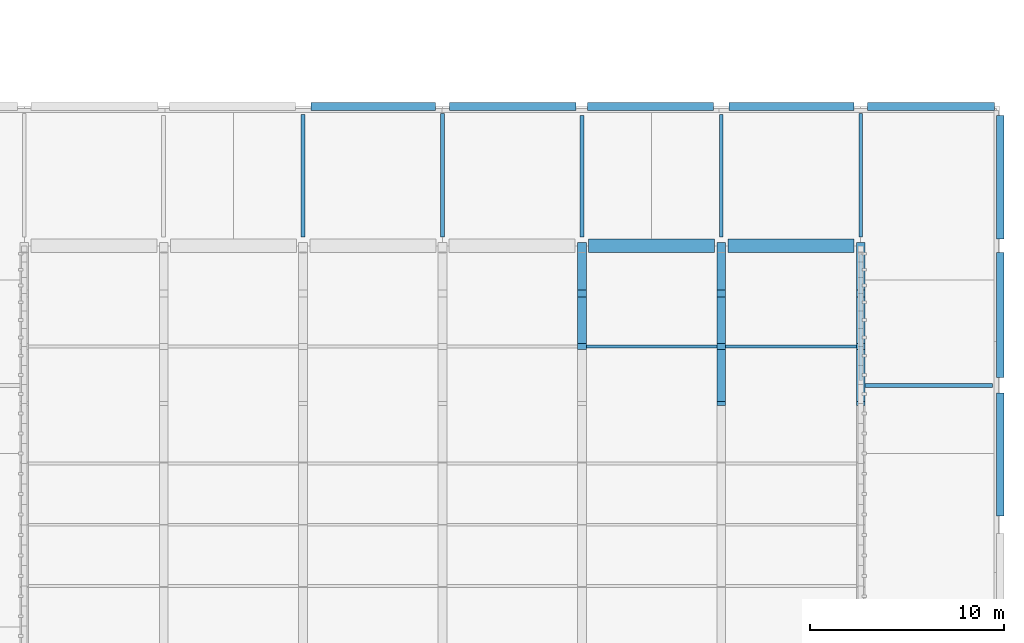
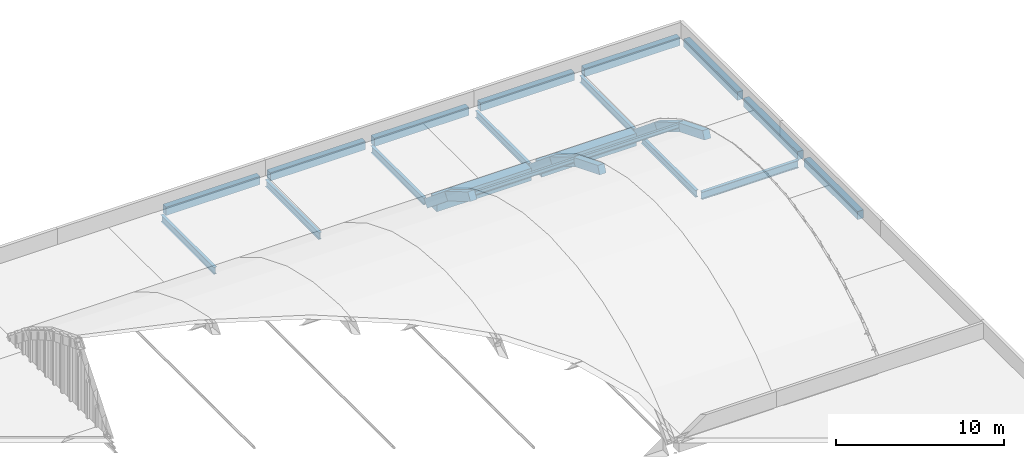
# One storey, part 31 of 71: 27 beams.
"""IFC4 building model written with IfcOpenShell, lengths in metres."""

from ifc_helpers import new_model, si_unit, direction, frame, origin, origin_2d, place, context, subcontext, project, spatial, rectangle, i_section, extrude, material, material_profile, profile_set, type_object, element, save


model = new_model("IFC4")

# Units and contexts
model_context = context("Model", 3, precision=1e-05, world=origin(), true_north=direction((0.0, 1.0)))
body_context = subcontext(model_context, "Body", "Model", "MODEL_VIEW")
ifc_project = project(units=[si_unit("LENGTHUNIT", "METRE"), si_unit("AREAUNIT", "SQUARE_METRE"), si_unit("VOLUMEUNIT", "CUBIC_METRE"), si_unit("PLANEANGLEUNIT", "RADIAN"), si_unit("MASSUNIT", "GRAM", prefix="KILO")], contexts=[model_context])

# Site, building, storey
site_placement = place(None, origin())
site = spatial("IfcSite", under=ifc_project, at=site_placement, CompositionType="ELEMENT")
building_placement = place(site_placement, origin())
building = spatial("IfcBuilding", under=site, at=building_placement, Name="Sardonyx Promenade Sports Hall", CompositionType="ELEMENT")
storey_placement = place(building_placement, frame((0.0, 0.0, 16.0)))
storey = spatial("IfcBuildingStorey", under=building, at=storey_placement, Name="L03", CompositionType="ELEMENT", Elevation=16.0)

# Beams
ifc_material_1 = material(Name="Steel S355JR", Category="steel")
ifc_material_profile_1 = material_profile(ifc_material_1, i_section(OverallWidth=0.199951171875, OverallDepth=0.5, WebThickness=0.01025390625, FlangeThickness=0.01611328125, at=origin_2d()))
ifc_profile_set_1 = profile_set([ifc_material_profile_1], Name="Steel S355JR")
beam_type_1 = type_object("IfcBeamType", Name="Bm_Primary_IPE500", PredefinedType="BEAM", material=ifc_profile_set_1)
beam_1_placement = place(storey_placement, frame((129.60009765625, 79.64990234375, -0.47998046875), z_axis=(0.0, 1.0, 0.0), x_axis=(-1.0, 0.0, 0.0)))
element("IfcBeam", 1, at=beam_1_placement, inside=storey, type_object=beam_type_1, Name="Beam SB06 L03 #901", PredefinedType="BEAM", context=body_context, shape_type="SweptSolid", body=[
    extrude(i_section(OverallWidth=0.199951171875, OverallDepth=0.5, WebThickness=0.01025390625, FlangeThickness=0.01611328125, at=origin_2d()), origin(), (0.0, 0.0, 1.0), 6.35009765625),
])
beam_2_placement = place(storey_placement, frame((136.800048828125, 79.64990234375, -0.47998046875), z_axis=(0.0, 1.0, 0.0), x_axis=(-1.0, 0.0, 0.0)))
element("IfcBeam", 2, at=beam_2_placement, inside=storey, type_object=beam_type_1, Name="Beam SB06 L03 #902", PredefinedType="BEAM", context=body_context, shape_type="SweptSolid", body=[
    extrude(i_section(OverallWidth=0.199951171875, OverallDepth=0.5, WebThickness=0.01025390625, FlangeThickness=0.01611328125, at=origin_2d()), origin(), (0.0, 0.0, 1.0), 6.400146484375),
])
beam_3_placement = place(storey_placement, frame((144.0, 79.64990234375, -0.47998046875), z_axis=(0.0, 1.0, 0.0), x_axis=(-1.0, 0.0, 0.0)))
element("IfcBeam", 3, at=beam_3_placement, inside=storey, type_object=beam_type_1, Name="Beam SB06 L03 #910", PredefinedType="BEAM", context=body_context, shape_type="SweptSolid", body=[
    extrude(i_section(OverallWidth=0.199951171875, OverallDepth=0.5, WebThickness=0.01025390625, FlangeThickness=0.01611328125, at=origin_2d()), origin(), (0.0, 0.0, 1.0), 6.300048828125),
])
beam_4_placement = place(storey_placement, frame((151.199951171875, 79.64990234375, -0.47998046875), z_axis=(0.0, 1.0, 0.0), x_axis=(-1.0, 0.0, 0.0)))
element("IfcBeam", 4, at=beam_4_placement, inside=storey, type_object=beam_type_1, Name="Beam SB06 L03 #911", PredefinedType="BEAM", context=body_context, shape_type="SweptSolid", body=[
    extrude(i_section(OverallWidth=0.199951171875, OverallDepth=0.5, WebThickness=0.01025390625, FlangeThickness=0.01611328125, at=origin_2d()), origin(), (0.0, 0.0, 1.0), 6.35009765625),
])
beam_5_placement = place(storey_placement, frame((158.39990234375, 72.2451171875, -0.47998046875), z_axis=(0.0, 1.0, 0.0), x_axis=(-1.0, 0.0, 0.0)))
element("IfcBeam", 5, at=beam_5_placement, inside=storey, type_object=beam_type_1, Name="Beam SB06 L03 #922", PredefinedType="BEAM", context=body_context, shape_type="SweptSolid", body=[
    extrude(i_section(OverallWidth=0.199951171875, OverallDepth=0.5, WebThickness=0.01025390625, FlangeThickness=0.01611328125, at=origin_2d()), origin(), (0.0, 0.0, 1.0), 6.5048828125),
])
beam_6_placement = place(storey_placement, frame((158.39990234375, 79.64990234375, -0.47998046875), z_axis=(0.0, 1.0, 0.0), x_axis=(-1.0, 0.0, 0.0)))
element("IfcBeam", 6, at=beam_6_placement, inside=storey, type_object=beam_type_1, Name="Beam SB06 L03 #923", PredefinedType="BEAM", context=body_context, shape_type="SweptSolid", body=[
    extrude(i_section(OverallWidth=0.199951171875, OverallDepth=0.5, WebThickness=0.01025390625, FlangeThickness=0.01611328125, at=origin_2d()), origin(), (0.0, 0.0, 1.0), 6.400146484375),
])
ifc_material_2 = material(Name="Steel S355JR", Category="steel")
ifc_material_profile_2 = material_profile(ifc_material_2, i_section(OverallWidth=0.2099609375, OverallDepth=0.550048828125, WebThickness=0.010986328125, FlangeThickness=0.01708984375, at=origin_2d()))
ifc_profile_set_2 = profile_set([ifc_material_profile_2], Name="Steel S355JR")
beam_type_2 = type_object("IfcBeamType", Name="Bm_Primary_IPE550", PredefinedType="BEAM", material=ifc_profile_set_2)
beam_7_placement = place(storey_placement, frame((158.550048828125, 72.0, -0.5048828125), z_axis=(1.0, 0.0, 0.0), x_axis=(0.0, 1.0, 0.0)))
element("IfcBeam", 7, at=beam_7_placement, inside=storey, type_object=beam_type_2, Name="Beam SB03 L03 #799", PredefinedType="BEAM", context=body_context, shape_type="SweptSolid", body=[
    extrude(i_section(OverallWidth=0.2099609375, OverallDepth=0.550048828125, WebThickness=0.010986328125, FlangeThickness=0.01708984375, at=origin_2d()), origin(), (0.0, 0.0, 1.0), 6.64990234375),
])
ifc_material_3 = material(Name="Concrete C40/50", Category="concrete")
ifc_material_profile_3 = material_profile(ifc_material_3, rectangle(XDim=0.699951171875, YDim=0.89990234375, at=origin_2d()))
ifc_profile_set_3 = profile_set([ifc_material_profile_3], Name="Concrete C40/50")
beam_type_3 = type_object("IfcBeamType", Name="Bm_Ring_Prac", PredefinedType="BEAM", material=ifc_profile_set_3)
for number, where, z_axis, x_axis, name in (
    (8, (144.344970703125, 79.199951171875, -0.449951171875), (1.0, 0.0, 0.0), (0.0, 1.0, 0.0), "Vault springing ring beam RB2 V2 N5"),
    (9, (151.544921875, 79.199951171875, -0.449951171875), (1.0, 0.0, 0.0), (0.0, 1.0, 0.0), "Vault springing ring beam RB2 V2 N6"),
):
    element("IfcBeam", number, at=place(storey_placement, frame(where, z_axis=z_axis, x_axis=x_axis)), inside=storey, type_object=beam_type_3, Name=name, PredefinedType="BEAM", context=body_context, shape_type="SweptSolid", body=[
        extrude(rectangle(XDim=0.699951171875, YDim=0.89990234375, at=origin_2d()), origin(), (0.0, 0.0, 1.0), 6.510009765625),
    ])
ifc_material_4 = material(Name="Concrete C40/50", Category="concrete")
ifc_material_profile_4 = material_profile(ifc_material_4, rectangle(XDim=0.39990234375, YDim=0.60009765625, at=origin_2d()))
ifc_profile_set_4 = profile_set([ifc_material_profile_4], Name="Concrete C40/50")
beam_type_4 = type_object("IfcBeamType", Name="Bm_Spandrel_RC600", PredefinedType="SPANDREL", material=ifc_profile_set_4)
beam_8_placement = place(storey_placement, frame((130.0, 86.39990234375, -0.300048828125), z_axis=(1.0, 0.0, 0.0), x_axis=(0.0, 1.0, 0.0)))
element("IfcBeam", 10, at=beam_8_placement, inside=storey, type_object=beam_type_4, Name="Beam SPB1 L03 #803", PredefinedType="SPANDREL", context=body_context, shape_type="SweptSolid", body=[
    extrude(rectangle(XDim=0.39990234375, YDim=0.60009765625, at=origin_2d()), origin(), (0.0, 0.0, 1.0), 6.449951171875),
])
beam_9_placement = place(storey_placement, frame((137.14990234375, 86.39990234375, -0.300048828125), z_axis=(1.0, 0.0, 0.0), x_axis=(0.0, 1.0, 0.0)))
element("IfcBeam", 11, at=beam_9_placement, inside=storey, type_object=beam_type_4, Name="Beam SPB1 L03 #804", PredefinedType="SPANDREL", context=body_context, shape_type="SweptSolid", body=[
    extrude(rectangle(XDim=0.39990234375, YDim=0.60009765625, at=origin_2d()), origin(), (0.0, 0.0, 1.0), 6.550048828125),
])
beam_10_placement = place(storey_placement, frame((144.300048828125, 86.39990234375, -0.300048828125), z_axis=(1.0, 0.0, 0.0), x_axis=(0.0, 1.0, 0.0)))
element("IfcBeam", 12, at=beam_10_placement, inside=storey, type_object=beam_type_4, Name="Beam SPB1 L03 #805", PredefinedType="SPANDREL", context=body_context, shape_type="SweptSolid", body=[
    extrude(rectangle(XDim=0.39990234375, YDim=0.60009765625, at=origin_2d()), origin(), (0.0, 0.0, 1.0), 6.5),
])
beam_11_placement = place(storey_placement, frame((151.60009765625, 86.39990234375, -0.300048828125), z_axis=(1.0, 0.0, 0.0), x_axis=(0.0, 1.0, 0.0)))
element("IfcBeam", 13, at=beam_11_placement, inside=storey, type_object=beam_type_4, Name="Beam SPB1 L03 #806", PredefinedType="SPANDREL", context=body_context, shape_type="SweptSolid", body=[
    extrude(rectangle(XDim=0.39990234375, YDim=0.60009765625, at=origin_2d()), origin(), (0.0, 0.0, 1.0), 6.449951171875),
])
beam_12_placement = place(storey_placement, frame((158.75, 86.39990234375, -0.300048828125), z_axis=(1.0, 0.0, 0.0), x_axis=(0.0, 1.0, 0.0)))
element("IfcBeam", 14, at=beam_12_placement, inside=storey, type_object=beam_type_4, Name="Beam SPB1 L03 #807", PredefinedType="SPANDREL", context=body_context, shape_type="SweptSolid", body=[
    extrude(rectangle(XDim=0.39990234375, YDim=0.60009765625, at=origin_2d()), origin(), (0.0, 0.0, 1.0), 6.550048828125),
])
beam_13_placement = place(storey_placement, frame((165.60009765625, 65.25, -0.300048828125), z_axis=(0.0, 1.0, 0.0), x_axis=(-1.0, 0.0, 0.0)))
element("IfcBeam", 15, at=beam_13_placement, inside=storey, type_object=beam_type_4, Name="Beam SPB1 L03 #933", PredefinedType="SPANDREL", context=body_context, shape_type="SweptSolid", body=[
    extrude(rectangle(XDim=0.39990234375, YDim=0.60009765625, at=origin_2d()), origin(), (0.0, 0.0, 1.0), 6.35009765625),
])
beam_14_placement = place(storey_placement, frame((165.60009765625, 72.39990234375, -0.300048828125), z_axis=(0.0, 1.0, 0.0), x_axis=(-1.0, 0.0, 0.0)))
element("IfcBeam", 16, at=beam_14_placement, inside=storey, type_object=beam_type_4, Name="Beam SPB1 L03 #934", PredefinedType="SPANDREL", context=body_context, shape_type="SweptSolid", body=[
    extrude(rectangle(XDim=0.39990234375, YDim=0.60009765625, at=origin_2d()), origin(), (0.0, 0.0, 1.0), 6.4501953125),
])
beam_15_placement = place(storey_placement, frame((165.60009765625, 79.550048828125, -0.300048828125), z_axis=(0.0, 1.0, 0.0), x_axis=(-1.0, 0.0, 0.0)))
element("IfcBeam", 17, at=beam_15_placement, inside=storey, type_object=beam_type_4, Name="Beam SPB1 L03 #935", PredefinedType="SPANDREL", context=body_context, shape_type="SweptSolid", body=[
    extrude(rectangle(XDim=0.39990234375, YDim=0.60009765625, at=origin_2d()), origin(), (0.0, 0.0, 1.0), 6.39990234375),
])
ifc_material_5 = material(Name="Steel S355JR", Category="steel")
ifc_material_profile_5 = material_profile(ifc_material_5, i_section(OverallWidth=0.14990234375, OverallDepth=0.300048828125, WebThickness=0.007080078125, FlangeThickness=0.0107421875, at=origin_2d()))
ifc_profile_set_5 = profile_set([ifc_material_profile_5], Name="Steel S355JR")
beam_type_5 = type_object("IfcBeamType", Name="Bm_VaultPurlin_Ext", PredefinedType="BEAM", material=ifc_profile_set_5)
beam_16_placement = place(storey_placement, frame((144.222900390625, 74.013671875, 3.47509765625), z_axis=(1.0, 0.0, 0.0), x_axis=(0.0, 1.0, 0.0)))
element("IfcBeam", 18, at=beam_16_placement, inside=storey, type_object=beam_type_5, Name="Vault longitudinal purlin V2 bay 5 line 8", PredefinedType="BEAM", context=body_context, shape_type="SweptSolid", body=[
    extrude(i_section(OverallWidth=0.14990234375, OverallDepth=0.300048828125, WebThickness=0.007080078125, FlangeThickness=0.0107421875, at=origin_2d()), origin(), (0.0, 0.0, 1.0), 6.754150390625),
])
beam_17_placement = place(storey_placement, frame((151.423095703125, 74.013671875, 3.47509765625), z_axis=(1.0, 0.0, 0.0), x_axis=(0.0, 1.0, 0.0)))
element("IfcBeam", 19, at=beam_17_placement, inside=storey, type_object=beam_type_5, Name="Vault longitudinal purlin V2 bay 6 line 8", PredefinedType="BEAM", context=body_context, shape_type="SweptSolid", body=[
    extrude(i_section(OverallWidth=0.14990234375, OverallDepth=0.300048828125, WebThickness=0.007080078125, FlangeThickness=0.0107421875, at=origin_2d()), origin(), (0.0, 0.0, 1.0), 6.75390625),
])
ifc_material_6 = material(Name="Concrete C40/50", Category="concrete")
ifc_material_profile_6 = material_profile(ifc_material_6, rectangle(XDim=0.449951171875, YDim=0.60009765625, at=origin_2d()))
ifc_profile_set_6 = profile_set([ifc_material_profile_6], Name="Concrete C40/50")
beam_type_6 = type_object("IfcBeamType", Name="Bm_VaultRib_Prac", PredefinedType="USERDEFINED", material=ifc_profile_set_6)
beam_18_placement = place(storey_placement, frame((144.0, 74.013671875, 3.34521484375), z_axis=(0.0, 0.859734607661, -0.510741034567), x_axis=(-1.0, 0.0, 0.0)))
element("IfcBeam", 20, at=beam_18_placement, inside=storey, type_object=beam_type_6, Name="Barrel-vault arch rib AR2 Grid 21 chord 9", ObjectType="ARCH RIB", PredefinedType="USERDEFINED", context=body_context, shape_type="SweptSolid", body=[
    extrude(rectangle(XDim=0.449951171875, YDim=0.60009765625, at=origin_2d()), origin(), (0.0, 0.0, 1.0), 3.1787109375),
])
for number, where, z_axis, x_axis, name in (
    (21, (144.0, 76.74658203125, 1.7216796875), (0.0, 0.771728467273, -0.635952178076), (-1.0, 0.0, 0.0), "Barrel-vault arch rib AR2 Grid 21 chord 10"),
    (22, (151.199951171875, 71.06494140625, 4.532958984375), (0.0, 0.927578888077, -0.373627363015), (-1.0, 0.0, 0.0), "Barrel-vault arch rib AR2 Grid 22 chord 8"),
):
    element("IfcBeam", number, at=place(storey_placement, frame(where, z_axis=z_axis, x_axis=x_axis)), inside=storey, type_object=beam_type_6, Name=name, ObjectType="ARCH RIB", PredefinedType="USERDEFINED", context=body_context, shape_type="SweptSolid", body=[
        extrude(rectangle(XDim=0.449951171875, YDim=0.60009765625, at=origin_2d()), origin(), (0.0, 0.0, 1.0), 3.178955078125),
    ])
beam_19_placement = place(storey_placement, frame((151.199951171875, 74.013671875, 3.34521484375), z_axis=(0.0, 0.859734607661, -0.510741034567), x_axis=(-1.0, 0.0, 0.0)))
element("IfcBeam", 23, at=beam_19_placement, inside=storey, type_object=beam_type_6, Name="Barrel-vault arch rib AR2 Grid 22 chord 9", ObjectType="ARCH RIB", PredefinedType="USERDEFINED", context=body_context, shape_type="SweptSolid", body=[
    extrude(rectangle(XDim=0.449951171875, YDim=0.60009765625, at=origin_2d()), origin(), (0.0, 0.0, 1.0), 3.1787109375),
])
for number, where, z_axis, x_axis, name in (
    (24, (151.199951171875, 76.74658203125, 1.7216796875), (0.0, 0.771728467273, -0.635952178076), (-1.0, 0.0, 0.0), "Barrel-vault arch rib AR2 Grid 22 chord 10"),
    (25, (158.39990234375, 71.06494140625, 4.532958984375), (0.0, 0.927578888077, -0.373627363015), (-1.0, 0.0, 0.0), "Barrel-vault arch rib AR2 Grid 23 chord 8"),
):
    element("IfcBeam", number, at=place(storey_placement, frame(where, z_axis=z_axis, x_axis=x_axis)), inside=storey, type_object=beam_type_6, Name=name, ObjectType="ARCH RIB", PredefinedType="USERDEFINED", context=body_context, shape_type="SweptSolid", body=[
        extrude(rectangle(XDim=0.449951171875, YDim=0.60009765625, at=origin_2d()), origin(), (0.0, 0.0, 1.0), 3.178955078125),
    ])
beam_20_placement = place(storey_placement, frame((158.39990234375, 74.013671875, 3.34521484375), z_axis=(0.0, 0.859734607661, -0.510741034567), x_axis=(-1.0, 0.0, 0.0)))
element("IfcBeam", 26, at=beam_20_placement, inside=storey, type_object=beam_type_6, Name="Barrel-vault arch rib AR2 Grid 23 chord 9", ObjectType="ARCH RIB", PredefinedType="USERDEFINED", context=body_context, shape_type="SweptSolid", body=[
    extrude(rectangle(XDim=0.449951171875, YDim=0.60009765625, at=origin_2d()), origin(), (0.0, 0.0, 1.0), 3.1787109375),
])
beam_21_placement = place(storey_placement, frame((158.39990234375, 76.74658203125, 1.7216796875), z_axis=(0.0, 0.771728467273, -0.635952178076), x_axis=(-1.0, 0.0, 0.0)))
element("IfcBeam", 27, at=beam_21_placement, inside=storey, type_object=beam_type_6, Name="Barrel-vault arch rib AR2 Grid 23 chord 10", ObjectType="ARCH RIB", PredefinedType="USERDEFINED", context=body_context, shape_type="SweptSolid", body=[
    extrude(rectangle(XDim=0.449951171875, YDim=0.60009765625, at=origin_2d()), origin(), (0.0, 0.0, 1.0), 3.178955078125),
])

save(model, "model.ifc")
